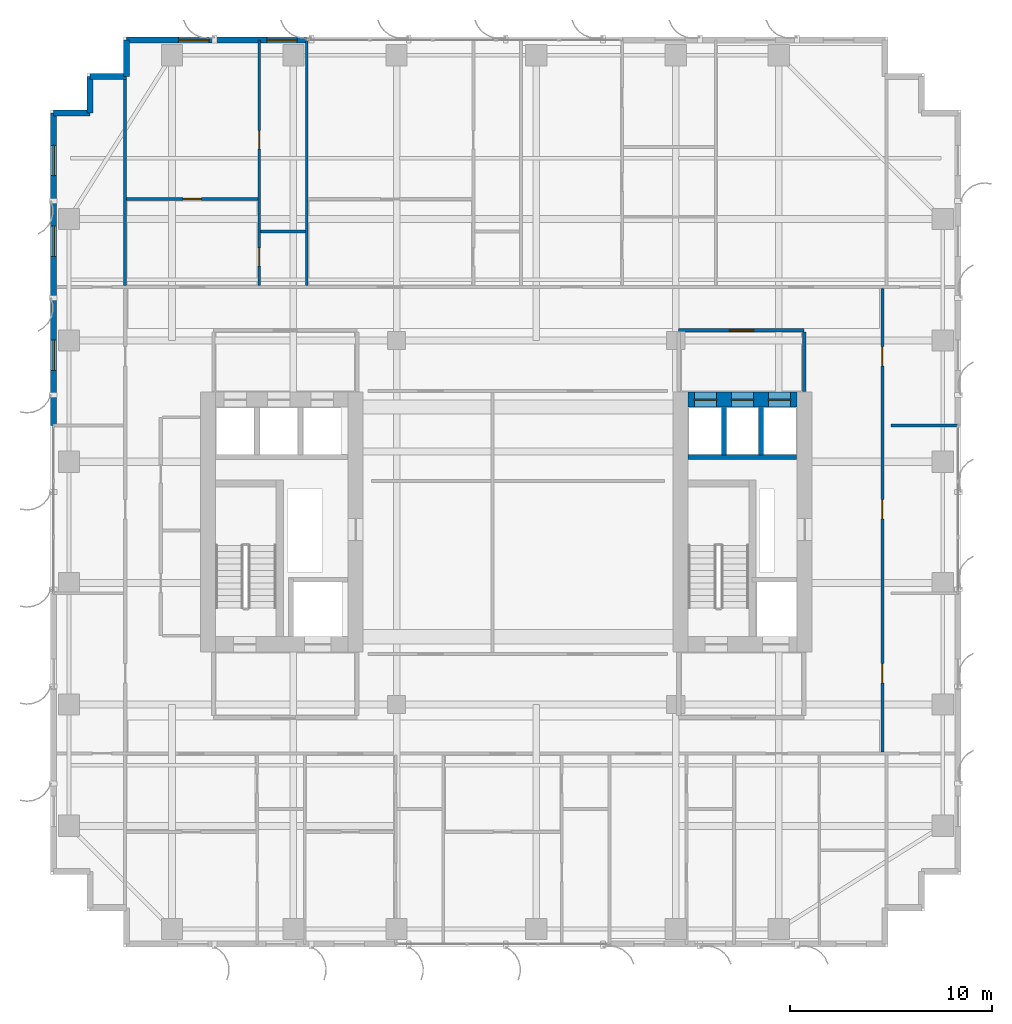
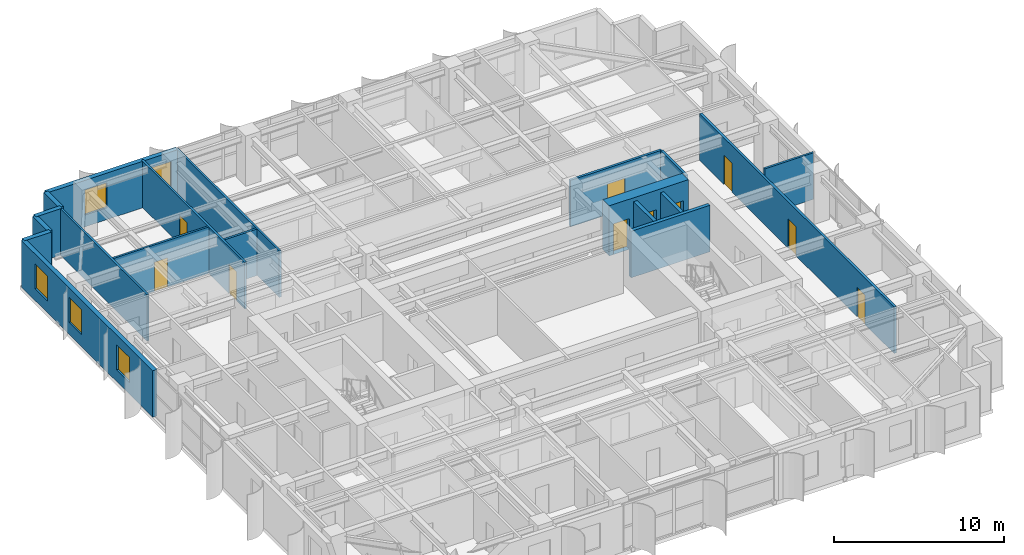
# One storey, part 16 of 22: 19 walls, 10 doors, 5 windows, 15 openings.
"""IFC4 building model written with IfcOpenShell, lengths in metres."""

from ifc_helpers import new_model, si_unit, direction, frame, frame_2d, origin, place, context, subcontext, project, spatial, rectangle, extrude, source, transform, mapped, material, layer, layer_set, type_object, element, fill, save


model = new_model("IFC4")

# Units and contexts
model_context = context("Model", 3, precision=1e-05, world=origin(), true_north=direction((0.0, 1.0)))
body_context = subcontext(model_context, "Body", "Model", "MODEL_VIEW")
ifc_project = project(units=[si_unit("LENGTHUNIT", "METRE"), si_unit("AREAUNIT", "SQUARE_METRE"), si_unit("VOLUMEUNIT", "CUBIC_METRE"), si_unit("PLANEANGLEUNIT", "RADIAN"), si_unit("MASSUNIT", "GRAM", prefix="KILO")], contexts=[model_context])

# Site, building, storey
site_placement = place(None, origin())
site = spatial("IfcSite", under=ifc_project, at=site_placement, CompositionType="ELEMENT")
building_placement = place(site_placement, origin())
building = spatial("IfcBuilding", under=site, at=building_placement, Name="Khoralis Quay Care Tower", CompositionType="ELEMENT")
storey_placement = place(building_placement, frame((0.0, 0.0, 94.5)))
storey = spatial("IfcBuildingStorey", under=building, at=storey_placement, Name="L24", CompositionType="ELEMENT", Elevation=94.5)

# Wall, openings, doors
ifc_material_1 = material(Name="Concrete C80/95", Category="concrete")
ifc_layer_1 = layer(ifc_material_1, 0.75)
ifc_layer_set_1 = layer_set([ifc_layer_1], Name="Concrete C80/95")
wall_type_1 = type_object("IfcWallType", Name="WL-CORE-750", PredefinedType="SHEAR", material=ifc_layer_set_1)
wall_1_placement = place(storey_placement, frame((31.52001953125, 27.074951171875, 0.0), z_axis=(0.0, 0.0, 1.0), x_axis=(1.0, 0.0, 0.0)))
wall_1 = element("IfcWall", 1, at=wall_1_placement, inside=storey, type_object=wall_type_1, Name="L24 ECORE North Shear Wall", PredefinedType="SHEAR", context=body_context, shape_type="SweptSolid", body=[
    extrude(rectangle(XDim=5.3798828125, YDim=0.75, at=frame_2d((2.68994140625, 0.0))), origin(), (0.0, 0.0, 1.0), 3.60009765625),
])
opening_1_placement = place(wall_1_placement, frame((0.300048828125, 0.0, 0.0)))
opening_1 = element("IfcOpeningElement", 2, at=opening_1_placement, cuts=wall_1, Name="Opening LD1", PredefinedType="OPENING", context=body_context, shape_type="SweptSolid", body=[
    extrude(rectangle(XDim=1.10009765625, YDim=2.199951171875, at=frame_2d((0.550048828125, 1.10009765625))), frame((0.0, 0.385009765625, 0.0), z_axis=(0.0, -1.0, 0.0), x_axis=(1.0, 0.0, 0.0)), (0.0, 0.0, 1.0), 0.77001953125),
])
opening_2_placement = place(wall_1_placement, frame((2.1298828125, 0.0, 0.0)))
opening_2 = element("IfcOpeningElement", 3, at=opening_2_placement, cuts=wall_1, Name="Opening LD1", PredefinedType="OPENING", context=body_context, shape_type="SweptSolid", body=[
    extrude(rectangle(XDim=1.10009765625, YDim=2.199951171875, at=frame_2d((0.550048828125, 1.10009765625))), frame((0.0, 0.385009765625, 0.0), z_axis=(0.0, -1.0, 0.0), x_axis=(1.0, 0.0, 0.0)), (0.0, 0.0, 1.0), 0.77001953125),
])
opening_3_placement = place(wall_1_placement, frame((3.9599609375, 0.0, 0.0)))
opening_3 = element("IfcOpeningElement", 4, at=opening_3_placement, cuts=wall_1, Name="Opening LD1", PredefinedType="OPENING", context=body_context, shape_type="SweptSolid", body=[
    extrude(rectangle(XDim=1.10009765625, YDim=2.199951171875, at=frame_2d((0.550048828125, 1.10009765625))), frame((0.0, 0.385009765625, 0.0), z_axis=(0.0, -1.0, 0.0), x_axis=(1.0, 0.0, 0.0)), (0.0, 0.0, 1.0), 0.77001953125),
])
ifc_material_2 = material(Name="Brushed stainless steel", Category="steel")
door_type_1 = type_object("IfcDoorType", Name="DR-LIFT-1100X2200", OperationType="SLIDING_TO_LEFT", PredefinedType="DOOR", material=ifc_material_2)
shared_shape_1 = source(origin(), body_context, "Body", "SweptSolid", [
    extrude(rectangle(XDim=1.10009765625, YDim=2.199951171875, at=frame_2d((0.550048828125, 1.10009765625))), frame((0.0, 0.02490234375, 0.0), z_axis=(0.0, -1.0, 0.0), x_axis=(1.0, 0.0, 0.0)), (0.0, 0.0, 1.0), 0.050048828125),
])
door_1_placement = place(opening_1_placement, origin())
door_1 = element("IfcDoor", 5, at=door_1_placement, inside=storey, type_object=door_type_1, Name="L24 Lift PLL2 Landing Door", OperationType="SLIDING_TO_LEFT", OverallHeight=2.199951171875, OverallWidth=1.10009765625, PredefinedType="DOOR", context=body_context, shape_type="MappedRepresentation", body=[
    mapped(shared_shape_1, transform((0.0, 0.0, 0.0), scale=1.0)),
])
fill(opening_1, door_1)
door_2_placement = place(opening_2_placement, origin())
door_2 = element("IfcDoor", 6, at=door_2_placement, inside=storey, type_object=door_type_1, Name="L24 Lift PLM2 Landing Door", OperationType="SLIDING_TO_LEFT", OverallHeight=2.199951171875, OverallWidth=1.10009765625, PredefinedType="DOOR", context=body_context, shape_type="MappedRepresentation", body=[
    mapped(shared_shape_1, transform((0.0, 0.0, 0.0), scale=1.0)),
])
fill(opening_2, door_2)
door_3_placement = place(opening_3_placement, origin())
door_3 = element("IfcDoor", 7, at=door_3_placement, inside=storey, type_object=door_type_1, Name="L24 Lift PLH2 Landing Door", OperationType="SLIDING_TO_LEFT", OverallHeight=2.199951171875, OverallWidth=1.10009765625, PredefinedType="DOOR", context=body_context, shape_type="MappedRepresentation", body=[
    mapped(shared_shape_1, transform((0.0, 0.0, 0.0), scale=1.0)),
])
fill(opening_3, door_3)

# Wall, opening, door
ifc_material_3 = material(Name="Gypsum plasterboard on acoustic metal stud")
ifc_layer_2 = layer(ifc_material_3, 0.1650390625)
ifc_layer_set_2 = layer_set([ifc_layer_2], Name="Gypsum plasterboard on acoustic metal stud")
wall_type_2 = type_object("IfcWallType", Name="WL-CORR-165", PredefinedType="PARTITIONING", material=ifc_layer_set_2)
wall_2_placement = place(storey_placement, frame((31.050048828125, 30.5, 0.0), z_axis=(0.0, 0.0, 1.0), x_axis=(1.0, 0.0, 0.0)))
wall_2 = element("IfcWall", 8, at=wall_2_placement, inside=storey, type_object=wall_type_2, Name="L24 East Lift Lobby North Wall", PredefinedType="PARTITIONING", context=body_context, shape_type="SweptSolid", body=[
    extrude(rectangle(XDim=6.199951171875, YDim=0.1650390625, at=frame_2d((3.10009765625, 0.0))), origin(), (0.0, 0.0, 1.0), 3.340087890625),
])
opening_4_placement = place(wall_2_placement, frame((2.5, 0.0, 0.0)))
opening_4 = element("IfcOpeningElement", 9, at=opening_4_placement, cuts=wall_2, Name="Opening FD1", PredefinedType="OPENING", context=body_context, shape_type="SweptSolid", body=[
    extrude(rectangle(XDim=1.199951171875, YDim=2.199951171875, at=frame_2d((0.60009765625, 1.10009765625))), frame((0.0, 0.092529296875, 0.0), z_axis=(0.0, -1.0, 0.0), x_axis=(1.0, 0.0, 0.0)), (0.0, 0.0, 1.0), 0.18505859375),
])
ifc_material_4 = material(Name="Fire-rated painted steel", Category="steel")
door_type_2 = type_object("IfcDoorType", Name="DR-FFL-1200X2200", OperationType="NOTDEFINED", PredefinedType="DOOR", material=ifc_material_4)
shared_shape_2 = source(origin(), body_context, "Body", "SweptSolid", [
    extrude(rectangle(XDim=1.199951171875, YDim=2.199951171875, at=frame_2d((0.60009765625, 1.10009765625))), frame((0.0, 0.02490234375, 0.0), z_axis=(0.0, -1.0, 0.0), x_axis=(1.0, 0.0, 0.0)), (0.0, 0.0, 1.0), 0.050048828125),
])
door_4_placement = place(opening_4_placement, origin())
door_4 = element("IfcDoor", 10, at=door_4_placement, inside=storey, type_object=door_type_2, Name="L24 East Lift Lobby Double Door", OperationType="DOUBLE_DOOR_SINGLE_SWING", OverallHeight=2.199951171875, OverallWidth=1.199951171875, PredefinedType="DOOR", context=body_context, shape_type="MappedRepresentation", body=[
    mapped(shared_shape_2, transform((0.0, 0.0, 0.0), scale=1.0)),
])
fill(opening_4, door_4)

# Wall
wall_3_placement = place(storey_placement, frame((37.25, 27.469970703125, 0.0), z_axis=(0.0, 0.0, 1.0), x_axis=(0.0, 1.0, 0.0)))
element("IfcWall", 11, at=wall_3_placement, inside=storey, type_object=wall_type_2, Name="L24 East Lift Lobby East Wall", PredefinedType="PARTITIONING", context=body_context, shape_type="SweptSolid", body=[
    extrude(rectangle(XDim=2.95263671875, YDim=0.1650390625, at=frame_2d((1.476318359375, 0.0))), origin(), (0.0, 0.0, 1.0), 3.340087890625),
])

# Wall, openings, doors
wall_4_placement = place(storey_placement, frame((41.1201171875, 9.657470703125, 0.0), z_axis=(0.0, 0.0, 1.0), x_axis=(0.0, 1.0, 0.0)))
wall_4 = element("IfcWall", 12, at=wall_4_placement, inside=storey, type_object=wall_type_2, Name="L24 East Loop Corridor Wall", PredefinedType="PARTITIONING", context=body_context, shape_type="SweptSolid", body=[
    extrude(rectangle(XDim=22.905029296875, YDim=0.1650390625, at=frame_2d((11.45263671875, 0.0))), origin(), (0.0, 0.0, 1.0), 3.340087890625),
])
opening_5_placement = place(wall_4_placement, frame((3.407470703125, 0.0, 0.0)))
opening_5 = element("IfcOpeningElement", 13, at=opening_5_placement, cuts=wall_4, Name="Opening ID1", PredefinedType="OPENING", context=body_context, shape_type="SweptSolid", body=[
    extrude(rectangle(XDim=0.949951171875, YDim=2.10009765625, at=frame_2d((0.47509765625, 1.050048828125))), frame((0.0, 0.092529296875, 0.0), z_axis=(0.0, -1.0, 0.0), x_axis=(1.0, 0.0, 0.0)), (0.0, 0.0, 1.0), 0.18505859375),
])
opening_6_placement = place(wall_4_placement, frame((11.517578125, 0.0, 0.0)))
opening_6 = element("IfcOpeningElement", 14, at=opening_6_placement, cuts=wall_4, Name="Opening ID1", PredefinedType="OPENING", context=body_context, shape_type="SweptSolid", body=[
    extrude(rectangle(XDim=0.949951171875, YDim=2.10009765625, at=frame_2d((0.47509765625, 1.050048828125))), frame((0.0, 0.092529296875, 0.0), z_axis=(0.0, -1.0, 0.0), x_axis=(1.0, 0.0, 0.0)), (0.0, 0.0, 1.0), 0.18505859375),
])
opening_7_placement = place(wall_4_placement, frame((19.08740234375, 0.0, 0.0)))
opening_7 = element("IfcOpeningElement", 15, at=opening_7_placement, cuts=wall_4, Name="Opening ID1", PredefinedType="OPENING", context=body_context, shape_type="SweptSolid", body=[
    extrude(rectangle(XDim=0.949951171875, YDim=2.10009765625, at=frame_2d((0.47509765625, 1.050048828125))), frame((0.0, 0.092529296875, 0.0), z_axis=(0.0, -1.0, 0.0), x_axis=(1.0, 0.0, 0.0)), (0.0, 0.0, 1.0), 0.18505859375),
])
ifc_material_5 = material(Name="Acoustic hardwood timber", Category="wood")
door_type_3 = type_object("IfcDoorType", Name="DR-ROOM-950X2100", OperationType="NOTDEFINED", PredefinedType="DOOR", material=ifc_material_5)
shared_shape_3 = source(origin(), body_context, "Body", "SweptSolid", [
    extrude(rectangle(XDim=0.949951171875, YDim=2.10009765625, at=frame_2d((0.47509765625, 1.050048828125))), frame((0.0, 0.02490234375, 0.0), z_axis=(0.0, -1.0, 0.0), x_axis=(1.0, 0.0, 0.0)), (0.0, 0.0, 1.0), 0.050048828125),
])
door_5_placement = place(opening_5_placement, frame((0.949951171875, 0.0, 0.0), z_axis=(0.0, 0.0, 1.0), x_axis=(-1.0, 0.0, 0.0)))
door_5 = element("IfcDoor", 16, at=door_5_placement, inside=storey, type_object=door_type_3, Name="L24 Therapy Consultation Room Door", OperationType="SINGLE_SWING_LEFT", OverallHeight=2.10009765625, OverallWidth=0.949951171875, PredefinedType="DOOR", context=body_context, shape_type="MappedRepresentation", body=[
    mapped(shared_shape_3, transform((0.0, 0.0, 0.0), scale=1.0)),
])
fill(opening_5, door_5)
door_6_placement = place(opening_6_placement, frame((0.949951171875, 0.0, 0.0), z_axis=(0.0, 0.0, 1.0), x_axis=(-1.0, 0.0, 0.0)))
door_6 = element("IfcDoor", 17, at=door_6_placement, inside=storey, type_object=door_type_3, Name="L24 Assisted Activity Lounge Door", OperationType="SINGLE_SWING_RIGHT", OverallHeight=2.10009765625, OverallWidth=0.949951171875, PredefinedType="DOOR", context=body_context, shape_type="MappedRepresentation", body=[
    mapped(shared_shape_3, transform((0.0, 0.0, 0.0), scale=1.0)),
])
fill(opening_6, door_6)
door_7_placement = place(opening_7_placement, frame((0.949951171875, 0.0, 0.0), z_axis=(0.0, 0.0, 1.0), x_axis=(-1.0, 0.0, 0.0)))
door_7 = element("IfcDoor", 18, at=door_7_placement, inside=storey, type_object=door_type_3, Name="L24 Nurse Charting Office Door", OperationType="SINGLE_SWING_LEFT", OverallHeight=2.10009765625, OverallWidth=0.949951171875, PredefinedType="DOOR", context=body_context, shape_type="MappedRepresentation", body=[
    mapped(shared_shape_3, transform((0.0, 0.0, 0.0), scale=1.0)),
])
fill(opening_7, door_7)

# Wall, openings, windows
ifc_material_6 = material(Name="Precast concrete C45/55", Category="concrete")
ifc_layer_3 = layer(ifc_material_6, 0.300048828125)
ifc_layer_set_3 = layer_set([ifc_layer_3], Name="Precast concrete C45/55")
wall_type_3 = type_object("IfcWallType", Name="WL-EXT-REF-300", PredefinedType="SOLIDWALL", material=ifc_layer_set_3)
wall_5_placement = place(storey_placement, frame((12.659912109375, 44.85009765625, 0.0), z_axis=(0.0, 0.0, 1.0), x_axis=(-1.0, 0.0, 0.0)))
wall_5 = element("IfcWall", 19, at=wall_5_placement, inside=storey, type_object=wall_type_3, Name="L24 External Facade Wall WL-EXT-L24-P1-E10B", PredefinedType="SOLIDWALL", context=body_context, shape_type="SweptSolid", body=[
    extrude(rectangle(XDim=8.909912109375, YDim=0.300048828125, at=frame_2d((4.455078125, 0.0))), origin(), (0.0, 0.0, 1.0), 3.340087890625),
])
opening_8_placement = place(wall_5_placement, frame((0.47509765625, 0.0, 0.85009765625)))
opening_8 = element("IfcOpeningElement", 20, at=opening_8_placement, cuts=wall_5, Name="Opening W3", PredefinedType="OPENING", context=body_context, shape_type="SweptSolid", body=[
    extrude(rectangle(XDim=1.5, YDim=1.800048828125, at=frame_2d((0.75, 0.89990234375))), frame((0.0, 0.16015625, 0.0), z_axis=(0.0, -1.0, 0.0), x_axis=(1.0, 0.0, 0.0)), (0.0, 0.0, 1.0), 0.320068359375),
])
opening_9_placement = place(wall_5_placement, frame((4.830078125, 0.0, 0.85009765625)))
opening_9 = element("IfcOpeningElement", 21, at=opening_9_placement, cuts=wall_5, Name="Opening W3", PredefinedType="OPENING", context=body_context, shape_type="SweptSolid", body=[
    extrude(rectangle(XDim=1.5, YDim=1.800048828125, at=frame_2d((0.75, 0.89990234375))), frame((0.0, 0.16015625, 0.0), z_axis=(0.0, -1.0, 0.0), x_axis=(1.0, 0.0, 0.0)), (0.0, 0.0, 1.0), 0.320068359375),
])
ifc_material_7 = material(Name="Low-E solar-control double glazing", Category="glass")
window_type = type_object("IfcWindowType", Name="WN-CLIN-1500X1800", PartitioningType="SINGLE_PANEL", PredefinedType="WINDOW", material=ifc_material_7)
shared_shape_4 = source(origin(), body_context, "Body", "SweptSolid", [
    extrude(rectangle(XDim=1.5, YDim=1.800048828125, at=frame_2d((0.75, 0.89990234375))), frame((0.0, 0.030029296875, 0.0), z_axis=(0.0, -1.0, 0.0), x_axis=(1.0, 0.0, 0.0)), (0.0, 0.0, 1.0), 0.06005859375),
])
window_1_placement = place(opening_8_placement, origin())
window_1 = element("IfcWindow", 22, at=window_1_placement, inside=storey, type_object=window_type, Name="WN-L24-P1-E10B Facade Window 01", OverallHeight=1.800048828125, OverallWidth=1.5, PartitioningType="SINGLE_PANEL", PredefinedType="WINDOW", context=body_context, shape_type="MappedRepresentation", body=[
    mapped(shared_shape_4, transform((0.0, 0.0, 0.0), scale=1.0)),
])
fill(opening_8, window_1)
window_2_placement = place(opening_9_placement, origin())
window_2 = element("IfcWindow", 23, at=window_2_placement, inside=storey, type_object=window_type, Name="WN-L24-P1-E10B Facade Window 02", OverallHeight=1.800048828125, OverallWidth=1.5, PartitioningType="SINGLE_PANEL", PredefinedType="WINDOW", context=body_context, shape_type="MappedRepresentation", body=[
    mapped(shared_shape_4, transform((0.0, 0.0, 0.0), scale=1.0)),
])
fill(opening_9, window_2)

# Walls
for number, where, z_axis, x_axis, name in (
    (24, (3.75, 44.85009765625, 0.0), (0.0, 0.0, 1.0), (0.0, -1.0, 0.0), "L24 External Facade Wall WL-EXT-L24-P1-C11"),
    (25, (3.75, 43.050048828125, 0.0), (0.0, 0.0, 1.0), (-1.0, 0.0, 0.0), "L24 External Facade Wall WL-EXT-L24-P1-C12"),
    (26, (1.949951171875, 43.050048828125, 0.0), (0.0, 0.0, 1.0), (0.0, -1.0, 0.0), "L24 External Facade Wall WL-EXT-L24-P1-C13"),
    (27, (1.949951171875, 41.25, 0.0), (0.0, 0.0, 1.0), (-1.0, 0.0, 0.0), "L24 External Facade Wall WL-EXT-L24-P1-C14"),
):
    element("IfcWall", number, at=place(storey_placement, frame(where, z_axis=z_axis, x_axis=x_axis)), inside=storey, type_object=wall_type_3, Name=name, PredefinedType="SOLIDWALL", context=body_context, shape_type="SweptSolid", body=[
        extrude(rectangle(XDim=1.800048828125, YDim=0.300048828125, at=frame_2d((0.89990234375, 0.0))), origin(), (0.0, 0.0, 1.0), 3.340087890625),
    ])

# Wall, openings, windows
wall_6_placement = place(storey_placement, frame((0.14990234375, 41.25, 0.0), z_axis=(0.0, 0.0, 1.0), x_axis=(0.0, -1.0, 0.0)))
wall_6 = element("IfcWall", 28, at=wall_6_placement, inside=storey, type_object=wall_type_3, Name="L24 External Facade Wall WL-EXT-L24-P1-E15A", PredefinedType="SOLIDWALL", context=body_context, shape_type="SweptSolid", body=[
    extrude(rectangle(XDim=15.449951171875, YDim=0.300048828125, at=frame_2d((7.72509765625, 0.0))), origin(), (0.0, 0.0, 1.0), 3.340087890625),
])
opening_10_placement = place(wall_6_placement, frame((1.607421875, 0.0, 0.85009765625)))
opening_10 = element("IfcOpeningElement", 29, at=opening_10_placement, cuts=wall_6, Name="Opening W3", PredefinedType="OPENING", context=body_context, shape_type="SweptSolid", body=[
    extrude(rectangle(XDim=1.5, YDim=1.800048828125, at=frame_2d((0.75, 0.89990234375))), frame((0.0, 0.16015625, 0.0), z_axis=(0.0, -1.0, 0.0), x_axis=(1.0, 0.0, 0.0)), (0.0, 0.0, 1.0), 0.320068359375),
])
opening_11_placement = place(wall_6_placement, frame((5.6025390625, 0.0, 0.85009765625)))
opening_11 = element("IfcOpeningElement", 30, at=opening_11_placement, cuts=wall_6, Name="Opening W3", PredefinedType="OPENING", context=body_context, shape_type="SweptSolid", body=[
    extrude(rectangle(XDim=1.5, YDim=1.800048828125, at=frame_2d((0.75, 0.89990234375))), frame((0.0, 0.16015625, 0.0), z_axis=(0.0, -1.0, 0.0), x_axis=(1.0, 0.0, 0.0)), (0.0, 0.0, 1.0), 0.320068359375),
])
opening_12_placement = place(wall_6_placement, frame((11.22998046875, 0.0, 0.85009765625)))
opening_12 = element("IfcOpeningElement", 31, at=opening_12_placement, cuts=wall_6, Name="Opening W3", PredefinedType="OPENING", context=body_context, shape_type="SweptSolid", body=[
    extrude(rectangle(XDim=1.5, YDim=1.800048828125, at=frame_2d((0.75, 0.89990234375))), frame((0.0, 0.16015625, 0.0), z_axis=(0.0, -1.0, 0.0), x_axis=(1.0, 0.0, 0.0)), (0.0, 0.0, 1.0), 0.320068359375),
])
window_3_placement = place(opening_10_placement, origin())
window_3 = element("IfcWindow", 32, at=window_3_placement, inside=storey, type_object=window_type, Name="WN-L24-P1-E15A Facade Window 01", OverallHeight=1.800048828125, OverallWidth=1.5, PartitioningType="SINGLE_PANEL", PredefinedType="WINDOW", context=body_context, shape_type="MappedRepresentation", body=[
    mapped(shared_shape_4, transform((0.0, 0.0, 0.0), scale=1.0)),
])
fill(opening_10, window_3)
window_4_placement = place(opening_11_placement, origin())
window_4 = element("IfcWindow", 33, at=window_4_placement, inside=storey, type_object=window_type, Name="WN-L24-P1-E15A Facade Window 02", OverallHeight=1.800048828125, OverallWidth=1.5, PartitioningType="SINGLE_PANEL", PredefinedType="WINDOW", context=body_context, shape_type="MappedRepresentation", body=[
    mapped(shared_shape_4, transform((0.0, 0.0, 0.0), scale=1.0)),
])
fill(opening_11, window_4)
window_5_placement = place(opening_12_placement, origin())
window_5 = element("IfcWindow", 34, at=window_5_placement, inside=storey, type_object=window_type, Name="WN-L24-P1-E15A Facade Window 03", OverallHeight=1.800048828125, OverallWidth=1.5, PartitioningType="SINGLE_PANEL", PredefinedType="WINDOW", context=body_context, shape_type="MappedRepresentation", body=[
    mapped(shared_shape_4, transform((0.0, 0.0, 0.0), scale=1.0)),
])
fill(opening_12, window_5)

# Wall, openings, doors
ifc_material_8 = material(Name="Moisture-resistant gypsum and ceramic tile")
ifc_layer_4 = layer(ifc_material_8, 0.280029296875)
ifc_layer_set_4 = layer_set([ifc_layer_4], Name="Moisture-resistant gypsum and ceramic tile")
wall_type_4 = type_object("IfcWallType", Name="WL-PLUMB-280", PredefinedType="PLUMBINGWALL", material=ifc_layer_set_4)
wall_7_placement = place(storey_placement, frame((10.31005859375, 32.717529296875, 0.0), z_axis=(0.0, 0.0, 1.0), x_axis=(0.0, 1.0, 0.0)))
wall_7 = element("IfcWall", 35, at=wall_7_placement, inside=storey, type_object=wall_type_4, Name="L24 Care Suite 0 En-Suite Wall V", PredefinedType="PLUMBINGWALL", context=body_context, shape_type="SweptSolid", body=[
    extrude(rectangle(XDim=12.137451171875, YDim=0.139892578125, at=frame_2d((6.06884765625, 0.0))), origin(), (0.0, 0.0, 1.0), 3.340087890625),
])
opening_13_placement = place(wall_7_placement, frame((0.96240234375, 0.0, 0.0)))
opening_13 = element("IfcOpeningElement", 36, at=opening_13_placement, cuts=wall_7, Name="Opening WD1", PredefinedType="OPENING", context=body_context, shape_type="SweptSolid", body=[
    extrude(rectangle(XDim=0.89990234375, YDim=2.10009765625, at=frame_2d((0.449951171875, 1.050048828125))), frame((0.0, 0.080078125, 0.0), z_axis=(0.0, -1.0, 0.0), x_axis=(1.0, 0.0, 0.0)), (0.0, 0.0, 1.0), 0.159912109375),
])
opening_14_placement = place(wall_7_placement, frame((6.75244140625, 0.0, 0.0)))
opening_14 = element("IfcOpeningElement", 37, at=opening_14_placement, cuts=wall_7, Name="Opening WD1", PredefinedType="OPENING", context=body_context, shape_type="SweptSolid", body=[
    extrude(rectangle(XDim=0.89990234375, YDim=2.10009765625, at=frame_2d((0.449951171875, 1.050048828125))), frame((0.0, 0.080078125, 0.0), z_axis=(0.0, -1.0, 0.0), x_axis=(1.0, 0.0, 0.0)), (0.0, 0.0, 1.0), 0.159912109375),
])
door_type_4 = type_object("IfcDoorType", Name="DR-BATH-900X2100", OperationType="NOTDEFINED", PredefinedType="DOOR", material=ifc_material_5)
shared_shape_5 = source(origin(), body_context, "Body", "SweptSolid", [
    extrude(rectangle(XDim=0.89990234375, YDim=2.10009765625, at=frame_2d((0.449951171875, 1.050048828125))), frame((0.0, 0.02490234375, 0.0), z_axis=(0.0, -1.0, 0.0), x_axis=(1.0, 0.0, 0.0)), (0.0, 0.0, 1.0), 0.050048828125),
])
door_8_placement = place(opening_13_placement, frame((0.89990234375, 0.0, 0.0), z_axis=(0.0, 0.0, 1.0), x_axis=(-1.0, 0.0, 0.0)))
door_8 = element("IfcDoor", 38, at=door_8_placement, inside=storey, type_object=door_type_4, Name="L24 Care CENS Door", OperationType="SINGLE_SWING_LEFT", OverallHeight=2.10009765625, OverallWidth=0.89990234375, PredefinedType="DOOR", context=body_context, shape_type="MappedRepresentation", body=[
    mapped(shared_shape_5, transform((0.0, 0.0, 0.0), scale=1.0)),
])
fill(opening_13, door_8)
door_9_placement = place(opening_14_placement, frame((0.89990234375, 0.0, 0.0), z_axis=(0.0, 0.0, 1.0), x_axis=(-1.0, 0.0, 0.0)))
door_9 = element("IfcDoor", 39, at=door_9_placement, inside=storey, type_object=door_type_4, Name="L24 Care CSIT Door", OperationType="SINGLE_SWING_RIGHT", OverallHeight=2.10009765625, OverallWidth=0.89990234375, PredefinedType="DOOR", context=body_context, shape_type="MappedRepresentation", body=[
    mapped(shared_shape_5, transform((0.0, 0.0, 0.0), scale=1.0)),
])
fill(opening_14, door_9)

# Walls
wall_8_placement = place(storey_placement, frame((10.375, 35.389892578125, 0.0), z_axis=(0.0, 0.0, 1.0), x_axis=(1.0, 0.0, 0.0)))
element("IfcWall", 40, at=wall_8_placement, inside=storey, type_object=wall_type_4, Name="L24 Care Suite 0 En-Suite Wall H", PredefinedType="PLUMBINGWALL", context=body_context, shape_type="SweptSolid", body=[
    extrude(rectangle(XDim=2.219970703125, YDim=0.139892578125, at=frame_2d((1.10986328125, 0.0))), origin(), (0.0, 0.0, 1.0), 3.340087890625),
])
ifc_layer_5 = layer(ifc_material_3, 0.239990234375)
ifc_layer_set_5 = layer_set([ifc_layer_5], Name="Gypsum plasterboard on acoustic metal stud")
wall_type_5 = type_object("IfcWallType", Name="WL-SHAFT-240", PredefinedType="PARTITIONING", material=ifc_layer_set_5)
wall_9_placement = place(storey_placement, frame((31.52001953125, 24.22998046875, 0.0), z_axis=(0.0, 0.0, 1.0), x_axis=(1.0, 0.0, 0.0)))
element("IfcWall", 41, at=wall_9_placement, inside=storey, type_object=wall_type_5, Name="L24 East Passenger Shaft South Wall", PredefinedType="PARTITIONING", context=body_context, shape_type="SweptSolid", body=[
    extrude(rectangle(XDim=5.35986328125, YDim=0.239990234375, at=frame_2d((2.679931640625, 0.0))), origin(), (0.0, 0.0, 1.0), 3.340087890625),
])
for number, where, z_axis, x_axis, name in (
    (42, (33.2900390625, 24.344970703125, 0.0), (0.0, 0.0, 1.0), (0.0, 1.0, 0.0), "L24 East Shaft Divider 1"),
    (43, (35.110107421875, 24.344970703125, 0.0), (0.0, 0.0, 1.0), (0.0, 1.0, 0.0), "L24 East Shaft Divider 2"),
):
    element("IfcWall", number, at=place(storey_placement, frame(where, z_axis=z_axis, x_axis=x_axis)), inside=storey, type_object=wall_type_5, Name=name, PredefinedType="PARTITIONING", context=body_context, shape_type="SweptSolid", body=[
        extrude(rectangle(XDim=2.3349609375, YDim=0.239990234375, at=frame_2d((1.16748046875, 0.0))), origin(), (0.0, 0.0, 1.0), 3.340087890625),
    ])
ifc_layer_6 = layer(ifc_material_3, 0.139892578125)
ifc_layer_set_6 = layer_set([ifc_layer_6], Name="Gypsum plasterboard on acoustic metal stud")
wall_type_6 = type_object("IfcWallType", Name="WL-UNIT-140", PredefinedType="PARTITIONING", material=ifc_layer_set_6)
wall_10_placement = place(storey_placement, frame((41.5400390625, 25.800048828125, 0.0), z_axis=(0.0, 0.0, 1.0), x_axis=(1.0, 0.0, 0.0)))
element("IfcWall", 44, at=wall_10_placement, inside=storey, type_object=wall_type_6, Name="L24 EE Divider 2", PredefinedType="PARTITIONING", context=body_context, shape_type="SweptSolid", body=[
    extrude(rectangle(XDim=3.31494140625, YDim=0.139892578125, at=frame_2d((1.657470703125, 0.0))), origin(), (0.0, 0.0, 1.0), 3.340087890625),
])
wall_11_placement = place(storey_placement, frame((3.679931640625, 32.717529296875, 0.0), z_axis=(0.0, 0.0, 1.0), x_axis=(0.0, 1.0, 0.0)))
element("IfcWall", 45, at=wall_11_placement, inside=storey, type_object=wall_type_6, Name="L24 NB Demising Wall 0", PredefinedType="PARTITIONING", context=body_context, shape_type="SweptSolid", body=[
    extrude(rectangle(XDim=10.33740234375, YDim=0.139892578125, at=frame_2d((5.168701171875, 0.0))), origin(), (0.0, 0.0, 1.0), 3.340087890625),
])
wall_12_placement = place(storey_placement, frame((12.659912109375, 32.717529296875, 0.0), z_axis=(0.0, 0.0, 1.0), x_axis=(0.0, 1.0, 0.0)))
element("IfcWall", 46, at=wall_12_placement, inside=storey, type_object=wall_type_6, Name="L24 NB Demising Wall 1", PredefinedType="PARTITIONING", context=body_context, shape_type="SweptSolid", body=[
    extrude(rectangle(XDim=12.137451171875, YDim=0.139892578125, at=frame_2d((6.06884765625, 0.0))), origin(), (0.0, 0.0, 1.0), 3.340087890625),
])

# Wall, opening, door
wall_13_placement = place(storey_placement, frame((3.7451171875, 36.989990234375, 0.0), z_axis=(0.0, 0.0, 1.0), x_axis=(1.0, 0.0, 0.0)))
wall_13 = element("IfcWall", 47, at=wall_13_placement, inside=storey, type_object=wall_type_6, Name="Skilled Care Bedroom L24-NB0 Sub-Partition", PredefinedType="PARTITIONING", context=body_context, shape_type="SweptSolid", body=[
    extrude(rectangle(XDim=6.5, YDim=0.139892578125, at=frame_2d((3.25, 0.0))), origin(), (0.0, 0.0, 1.0), 3.340087890625),
])
opening_15_placement = place(wall_13_placement, frame((2.800048828125, 0.0, 0.0)))
opening_15 = element("IfcOpeningElement", 48, at=opening_15_placement, cuts=wall_13, Name="Opening WD1", PredefinedType="OPENING", context=body_context, shape_type="SweptSolid", body=[
    extrude(rectangle(XDim=0.89990234375, YDim=2.10009765625, at=frame_2d((0.449951171875, 1.050048828125))), frame((0.0, 0.080078125, 0.0), z_axis=(0.0, -1.0, 0.0), x_axis=(1.0, 0.0, 0.0)), (0.0, 0.0, 1.0), 0.159912109375),
])
door_10_placement = place(opening_15_placement, frame((0.89990234375, 0.0, 0.0), z_axis=(0.0, 0.0, 1.0), x_axis=(-1.0, 0.0, 0.0)))
door_10 = element("IfcDoor", 49, at=door_10_placement, inside=storey, type_object=door_type_4, Name="Private Study & Reading Alcove ARE0 Door", OperationType="SINGLE_SWING_LEFT", OverallHeight=2.10009765625, OverallWidth=0.89990234375, PredefinedType="DOOR", context=body_context, shape_type="MappedRepresentation", body=[
    mapped(shared_shape_5, transform((0.0, 0.0, 0.0), scale=1.0)),
])
fill(opening_15, door_10)

save(model, "model.ifc")
